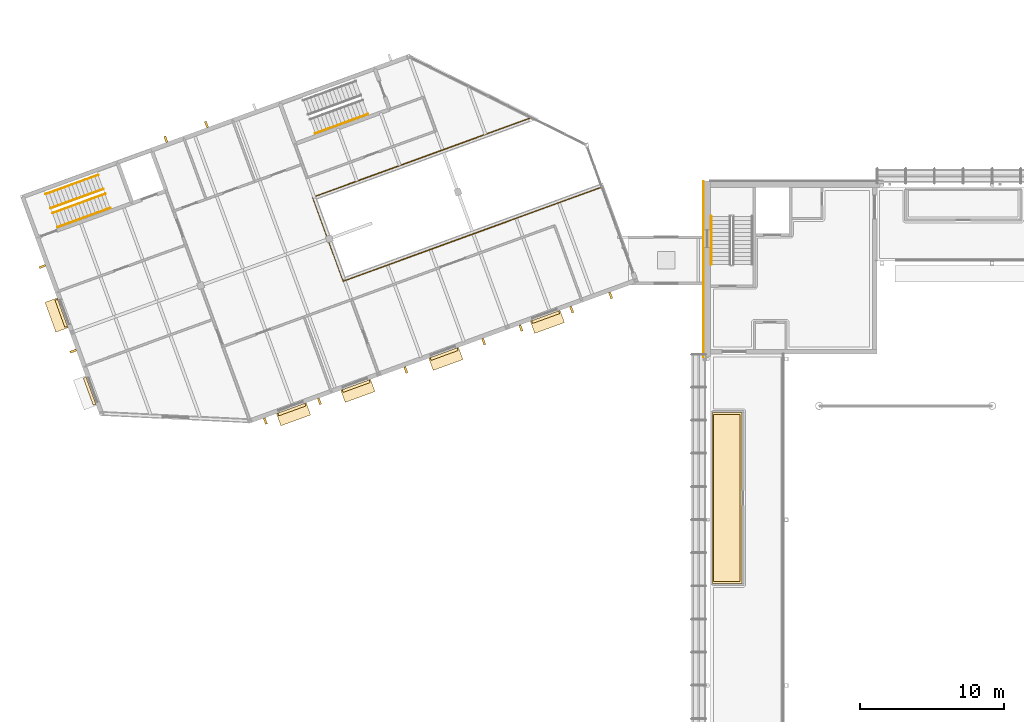
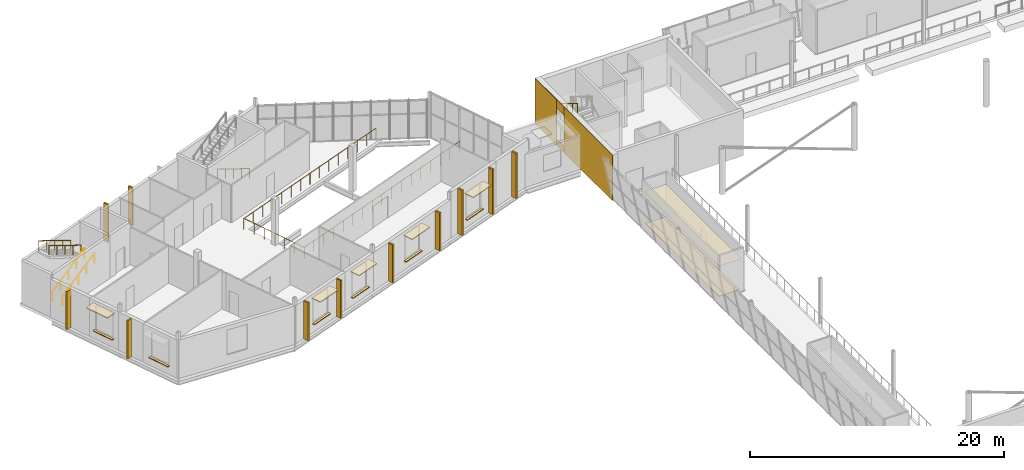
# One storey, part 102 of 115: 17 coverings, 11 shading devices, 7 railings.
"""IFC4 building model written with IfcOpenShell, lengths in metres."""

from ifc_helpers import new_model, si_unit, direction, frame, origin, origin_2d, place, context, subcontext, project, spatial, polyline, circle, outline, extrude, material, layer, layer_set, type_object, element, save


model = new_model("IFC4")

# Units and contexts
model_context = context("Model", 3, precision=1e-05, world=origin(), true_north=direction((0.0, 1.0)))
body_context = subcontext(model_context, "Body", "Model", "MODEL_VIEW")
ifc_project = project(units=[si_unit("LENGTHUNIT", "METRE"), si_unit("AREAUNIT", "SQUARE_METRE"), si_unit("VOLUMEUNIT", "CUBIC_METRE"), si_unit("PLANEANGLEUNIT", "RADIAN"), si_unit("MASSUNIT", "GRAM", prefix="KILO")], contexts=[model_context])

# Site, building, storey
site_placement = place(None, origin())
site = spatial("IfcSite", under=ifc_project, at=site_placement, CompositionType="ELEMENT")
building_placement = place(site_placement, origin())
building = spatial("IfcBuilding", under=site, at=building_placement, Name="Windward Yard Aquatics Centre", CompositionType="ELEMENT")
storey_placement = place(building_placement, frame((0.0, 0.0, 5.0)))
storey = spatial("IfcBuildingStorey", under=building, at=storey_placement, Name="L01", CompositionType="ELEMENT", Elevation=5.0)

# Railings
ifc_material_1 = material(Name="Stainless steel 1.4401", Category="steel")
railing_type_1 = type_object("IfcRailingType", Name="F guard 1100 stainless steel", PredefinedType="GUARDRAIL", material=ifc_material_1)
railing_1_placement = place(storey_placement, frame((40.051025390625, 100.4130859375, 0.0)))
element("IfcRailing", 1, at=railing_1_placement, inside=storey, type_object=railing_type_1, Name="F.RL.G.L01.01", PredefinedType="GUARDRAIL", context=body_context, shape_type="SweptSolid", body=[
    extrude(circle(Radius=0.02392578125, at=origin_2d()), frame((0.0, 0.0, 1.076171875), z_axis=(-0.939694706695, -0.342014412283, 0.0), x_axis=(0.342014412283, -0.939694706695, 0.0)), (0.0, 0.0, 1.0), 16.18115234375),
    extrude(circle(Radius=0.02392578125, at=origin_2d()), frame((-15.205322265625, -5.5341796875, 1.076171875), z_axis=(0.342027595692, -0.939689908313, 0.0), x_axis=(0.939689908313, 0.342027595692, 0.0)), (0.0, 0.0, 1.0), 6.2001953125),
    extrude(circle(Radius=0.02392578125, at=origin_2d()), frame((-13.084716796875, -11.3603515625, 1.076171875), z_axis=(0.939694225044, 0.342015735632, 0.0), x_axis=(-0.342015735632, 0.939694225044, 0.0)), (0.0, 0.0, 1.0), 19.050048828125),
    extrude(circle(Radius=0.02099609375, at=origin_2d()), origin(), (0.0, 0.0, 1.0), 1.052001953125),
    extrude(circle(Radius=0.02099609375, at=origin_2d()), frame((-1.086181640625, -0.395263671875, 0.0)), (0.0, 0.0, 1.0), 1.052001953125),
    extrude(circle(Radius=0.02099609375, at=origin_2d()), frame((-2.172119140625, -0.79052734375, 0.0)), (0.0, 0.0, 1.0), 1.052001953125),
    extrude(circle(Radius=0.02099609375, at=origin_2d()), frame((-3.25830078125, -1.185791015625, 0.0)), (0.0, 0.0, 1.0), 1.052001953125),
    extrude(circle(Radius=0.02099609375, at=origin_2d()), frame((-4.344482421875, -1.581298828125, 0.0)), (0.0, 0.0, 1.0), 1.052001953125),
    extrude(circle(Radius=0.02099609375, at=origin_2d()), frame((-5.430419921875, -1.9765625, 0.0)), (0.0, 0.0, 1.0), 1.052001953125),
    extrude(circle(Radius=0.02099609375, at=origin_2d()), frame((-6.5166015625, -2.371826171875, 0.0)), (0.0, 0.0, 1.0), 1.052001953125),
    extrude(circle(Radius=0.02099609375, at=origin_2d()), frame((-7.6025390625, -2.76708984375, 0.0)), (0.0, 0.0, 1.0), 1.052001953125),
    extrude(circle(Radius=0.02099609375, at=origin_2d()), frame((-8.688720703125, -3.162353515625, 0.0)), (0.0, 0.0, 1.0), 1.052001953125),
    extrude(circle(Radius=0.02099609375, at=origin_2d()), frame((-9.77490234375, -3.5576171875, 0.0)), (0.0, 0.0, 1.0), 1.052001953125),
    extrude(circle(Radius=0.02099609375, at=origin_2d()), frame((-10.86083984375, -3.952880859375, 0.0)), (0.0, 0.0, 1.0), 1.052001953125),
    extrude(circle(Radius=0.02099609375, at=origin_2d()), frame((-11.947021484375, -4.348388671875, 0.0)), (0.0, 0.0, 1.0), 1.052001953125),
    extrude(circle(Radius=0.02099609375, at=origin_2d()), frame((-13.033203125, -4.74365234375, 0.0)), (0.0, 0.0, 1.0), 1.052001953125),
    extrude(circle(Radius=0.02099609375, at=origin_2d()), frame((-14.119140625, -5.138916015625, 0.0)), (0.0, 0.0, 1.0), 1.052001953125),
    extrude(circle(Radius=0.02099609375, at=origin_2d()), frame((-15.205322265625, -5.5341796875, 0.0)), (0.0, 0.0, 1.0), 1.052001953125),
    extrude(circle(Radius=0.02099609375, at=origin_2d()), frame((-14.851806640625, -6.505126953125, 0.0)), (0.0, 0.0, 1.0), 1.052001953125),
    extrude(circle(Radius=0.02099609375, at=origin_2d()), frame((-14.49853515625, -7.476318359375, 0.0)), (0.0, 0.0, 1.0), 1.052001953125),
    extrude(circle(Radius=0.02099609375, at=origin_2d()), frame((-14.14501953125, -8.447265625, 0.0)), (0.0, 0.0, 1.0), 1.052001953125),
    extrude(circle(Radius=0.02099609375, at=origin_2d()), frame((-13.79150390625, -9.418212890625, 0.0)), (0.0, 0.0, 1.0), 1.052001953125),
    extrude(circle(Radius=0.02099609375, at=origin_2d()), frame((-13.438232421875, -10.389404296875, 0.0)), (0.0, 0.0, 1.0), 1.052001953125),
    extrude(circle(Radius=0.02099609375, at=origin_2d()), frame((-13.084716796875, -11.3603515625, 0.0)), (0.0, 0.0, 1.0), 1.052001953125),
    extrude(circle(Radius=0.02099609375, at=origin_2d()), frame((-11.9658203125, -10.953125, 0.0)), (0.0, 0.0, 1.0), 1.052001953125),
    extrude(circle(Radius=0.02099609375, at=origin_2d()), frame((-10.84716796875, -10.5458984375, 0.0)), (0.0, 0.0, 1.0), 1.052001953125),
    extrude(circle(Radius=0.02099609375, at=origin_2d()), frame((-9.728271484375, -10.138671875, 0.0)), (0.0, 0.0, 1.0), 1.052001953125),
    extrude(circle(Radius=0.02099609375, at=origin_2d()), frame((-8.609375, -9.7314453125, 0.0)), (0.0, 0.0, 1.0), 1.052001953125),
    extrude(circle(Radius=0.02099609375, at=origin_2d()), frame((-7.49072265625, -9.32421875, 0.0)), (0.0, 0.0, 1.0), 1.052001953125),
    extrude(circle(Radius=0.02099609375, at=origin_2d()), frame((-6.371826171875, -8.9169921875, 0.0)), (0.0, 0.0, 1.0), 1.052001953125),
    extrude(circle(Radius=0.02099609375, at=origin_2d()), frame((-5.2529296875, -8.509765625, 0.0)), (0.0, 0.0, 1.0), 1.052001953125),
    extrude(circle(Radius=0.02099609375, at=origin_2d()), frame((-4.13427734375, -8.1025390625, 0.0)), (0.0, 0.0, 1.0), 1.052001953125),
    extrude(circle(Radius=0.02099609375, at=origin_2d()), frame((-3.015380859375, -7.695556640625, 0.0)), (0.0, 0.0, 1.0), 1.052001953125),
    extrude(circle(Radius=0.02099609375, at=origin_2d()), frame((-1.896484375, -7.288330078125, 0.0)), (0.0, 0.0, 1.0), 1.052001953125),
    extrude(circle(Radius=0.02099609375, at=origin_2d()), frame((-0.777587890625, -6.881103515625, 0.0)), (0.0, 0.0, 1.0), 1.052001953125),
    extrude(circle(Radius=0.02099609375, at=origin_2d()), frame((0.341064453125, -6.473876953125, 0.0)), (0.0, 0.0, 1.0), 1.052001953125),
    extrude(circle(Radius=0.02099609375, at=origin_2d()), frame((1.4599609375, -6.066650390625, 0.0)), (0.0, 0.0, 1.0), 1.052001953125),
    extrude(circle(Radius=0.02099609375, at=origin_2d()), frame((2.578857421875, -5.659423828125, 0.0)), (0.0, 0.0, 1.0), 1.052001953125),
    extrude(circle(Radius=0.02099609375, at=origin_2d()), frame((3.697509765625, -5.252197265625, 0.0)), (0.0, 0.0, 1.0), 1.052001953125),
    extrude(circle(Radius=0.02099609375, at=origin_2d()), frame((4.81640625, -4.844970703125, 0.0)), (0.0, 0.0, 1.0), 1.052001953125),
])
railing_type_2 = type_object("IfcRailingType", Name="F handrail 900 stainless steel", PredefinedType="HANDRAIL", material=ifc_material_1)
railing_2_placement = place(storey_placement, frame((7.13818359375, 92.80224609375, 0.146728515625)))
element("IfcRailing", 2, at=railing_2_placement, inside=storey, type_object=railing_type_2, Name="F.RL.H.L01.S1.11", PredefinedType="HANDRAIL", context=body_context, shape_type="SweptSolid", body=[
    extrude(circle(Radius=0.02099609375, at=origin_2d()), frame((0.0, 0.0, 0.87890625), z_axis=(0.832413148769, 0.302996620695, 0.463984264392), x_axis=(-0.342043081867, 0.939684271523, 0.0)), (0.0, 0.0, 1.0), 4.42529296875),
    extrude(circle(Radius=0.01611328125, at=origin_2d()), origin(), (0.0, 0.0, 1.0), 0.85791015625),
    extrude(circle(Radius=0.01611328125, at=origin_2d()), frame((0.9208984375, 0.335205078125, 0.51318359375)), (0.0, 0.0, 1.0), 0.85791015625),
    extrude(circle(Radius=0.01611328125, at=origin_2d()), frame((1.841796875, 0.67041015625, 1.026611328125)), (0.0, 0.0, 1.0), 0.85791015625),
    extrude(circle(Radius=0.01611328125, at=origin_2d()), frame((2.7626953125, 1.005615234375, 1.5400390625)), (0.0, 0.0, 1.0), 0.85791015625),
    extrude(circle(Radius=0.01611328125, at=origin_2d()), frame((3.68359375, 1.3408203125, 2.05322265625)), (0.0, 0.0, 1.0), 0.85791015625),
])
railing_3_placement = place(storey_placement, frame((6.782470703125, 93.779541015625, 0.146728515625)))
element("IfcRailing", 3, at=railing_3_placement, inside=storey, type_object=railing_type_2, Name="F.RL.H.L01.S1.12", PredefinedType="HANDRAIL", context=body_context, shape_type="SweptSolid", body=[
    extrude(circle(Radius=0.02099609375, at=origin_2d()), frame((0.0, 0.0, 0.87890625), z_axis=(0.832427062876, 0.302946513935, 0.463992020068), x_axis=(-0.34198808625, 0.939704287988, 0.0)), (0.0, 0.0, 1.0), 4.425048828125),
    extrude(circle(Radius=0.01611328125, at=origin_2d()), origin(), (0.0, 0.0, 1.0), 0.85791015625),
    extrude(circle(Radius=0.01611328125, at=origin_2d()), frame((0.9208984375, 0.335205078125, 0.51318359375)), (0.0, 0.0, 1.0), 0.85791015625),
    extrude(circle(Radius=0.01611328125, at=origin_2d()), frame((1.841796875, 0.67041015625, 1.026611328125)), (0.0, 0.0, 1.0), 0.85791015625),
    extrude(circle(Radius=0.01611328125, at=origin_2d()), frame((2.7626953125, 1.00537109375, 1.5400390625)), (0.0, 0.0, 1.0), 0.85791015625),
    extrude(circle(Radius=0.01611328125, at=origin_2d()), frame((3.68359375, 1.340576171875, 2.05322265625)), (0.0, 0.0, 1.0), 0.85791015625),
])
railing_4_placement = place(storey_placement, frame((10.343017578125, 95.45849609375, 2.3466796875)))
element("IfcRailing", 4, at=railing_4_placement, inside=storey, type_object=railing_type_2, Name="F.RL.H.L01.S1.21", PredefinedType="HANDRAIL", context=body_context, shape_type="SweptSolid", body=[
    extrude(circle(Radius=0.02099609375, at=origin_2d()), frame((0.0, 0.0, 0.87890625), z_axis=(-0.832444002945, -0.302932601244, 0.46397071143), x_axis=(0.341968072062, -0.939711571542, 0.0)), (0.0, 0.0, 1.0), 4.42529296875),
    extrude(circle(Radius=0.01611328125, at=origin_2d()), origin(), (0.0, 0.0, 1.0), 0.85791015625),
    extrude(circle(Radius=0.01611328125, at=origin_2d()), frame((-0.9208984375, -0.335205078125, 0.51318359375)), (0.0, 0.0, 1.0), 0.85791015625),
    extrude(circle(Radius=0.01611328125, at=origin_2d()), frame((-1.841796875, -0.67041015625, 1.026611328125)), (0.0, 0.0, 1.0), 0.85791015625),
    extrude(circle(Radius=0.01611328125, at=origin_2d()), frame((-2.762939453125, -1.00537109375, 1.5400390625)), (0.0, 0.0, 1.0), 0.85791015625),
    extrude(circle(Radius=0.01611328125, at=origin_2d()), frame((-3.683837890625, -1.340576171875, 2.05322265625)), (0.0, 0.0, 1.0), 0.85791015625),
])
railing_5_placement = place(storey_placement, frame((9.9873046875, 96.435791015625, 2.3466796875)))
element("IfcRailing", 5, at=railing_5_placement, inside=storey, type_object=railing_type_2, Name="F.RL.H.L01.S1.22", PredefinedType="HANDRAIL", context=body_context, shape_type="SweptSolid", body=[
    extrude(circle(Radius=0.02099609375, at=origin_2d()), frame((0.0, 0.0, 0.87890625), z_axis=(-0.832427062876, -0.302946513935, 0.463992020068), x_axis=(0.34198808625, -0.939704287988, 0.0)), (0.0, 0.0, 1.0), 4.425048828125),
    extrude(circle(Radius=0.01611328125, at=origin_2d()), origin(), (0.0, 0.0, 1.0), 0.85791015625),
    extrude(circle(Radius=0.01611328125, at=origin_2d()), frame((-0.9208984375, -0.335205078125, 0.51318359375)), (0.0, 0.0, 1.0), 0.85791015625),
    extrude(circle(Radius=0.01611328125, at=origin_2d()), frame((-1.841796875, -0.67041015625, 1.026611328125)), (0.0, 0.0, 1.0), 0.85791015625),
    extrude(circle(Radius=0.01611328125, at=origin_2d()), frame((-2.7626953125, -1.00537109375, 1.5400390625)), (0.0, 0.0, 1.0), 0.85791015625),
    extrude(circle(Radius=0.01611328125, at=origin_2d()), frame((-3.68359375, -1.340576171875, 2.05322265625)), (0.0, 0.0, 1.0), 0.85791015625),
])
railing_6_placement = place(storey_placement, frame((28.6806640625, 100.64306640625, 0.146728515625)))
element("IfcRailing", 6, at=railing_6_placement, inside=storey, type_object=railing_type_2, Name="F.RL.H.L01.S2.11", PredefinedType="HANDRAIL", context=body_context, shape_type="SweptSolid", body=[
    extrude(circle(Radius=0.02099609375, at=origin_2d()), frame((0.0, 0.0, 0.87890625), z_axis=(-0.832413148769, -0.302996620695, 0.463984264392), x_axis=(0.342043081867, -0.939684271523, 0.0)), (0.0, 0.0, 1.0), 4.42529296875),
    extrude(circle(Radius=0.01611328125, at=origin_2d()), origin(), (0.0, 0.0, 1.0), 0.85791015625),
    extrude(circle(Radius=0.01611328125, at=origin_2d()), frame((-0.9208984375, -0.335205078125, 0.51318359375)), (0.0, 0.0, 1.0), 0.85791015625),
    extrude(circle(Radius=0.01611328125, at=origin_2d()), frame((-1.841796875, -0.67041015625, 1.026611328125)), (0.0, 0.0, 1.0), 0.85791015625),
    extrude(circle(Radius=0.01611328125, at=origin_2d()), frame((-2.7626953125, -1.005615234375, 1.5400390625)), (0.0, 0.0, 1.0), 0.85791015625),
    extrude(circle(Radius=0.01611328125, at=origin_2d()), frame((-3.68359375, -1.3408203125, 2.05322265625)), (0.0, 0.0, 1.0), 0.85791015625),
])

# Shading devices
ifc_material_2 = material(Name="Aluminium fin, powder coated", Category="aluminium")
shading_device_type = type_object("IfcShadingDeviceType", Name="F vertical fin 150x450", PredefinedType="USERDEFINED", material=ifc_material_2)
shading_device_1_placement = place(storey_placement, origin())
element("IfcShadingDevice", 7, at=shading_device_1_placement, inside=storey, type_object=shading_device_type, Name="Vertical fin F.WL.L01.E02.1.1", ObjectType="FIN", PredefinedType="USERDEFINED", context=body_context, shape_type="SweptSolid", body=[
    extrude(outline(polyline([(21.41357421875, 79.529296875), (21.5546875, 79.58056640625), (21.70849609375, 79.15771484375), (21.5673828125, 79.1064453125), (21.41357421875, 79.529296875)])), origin(), (0.0, 0.0, 1.0), 3.653076171875),
])
shading_device_2_placement = place(storey_placement, origin())
element("IfcShadingDevice", 8, at=shading_device_2_placement, inside=storey, type_object=shading_device_type, Name="Vertical fin F.WL.L01.E02.2.1", ObjectType="FIN", PredefinedType="USERDEFINED", context=body_context, shape_type="SweptSolid", body=[
    extrude(outline(polyline([(25.17236328125, 80.8974609375), (25.3134765625, 80.94873046875), (25.46728515625, 80.52587890625), (25.326416015625, 80.474609375), (25.17236328125, 80.8974609375)])), origin(), (0.0, 0.0, 1.0), 3.653076171875),
])
shading_device_3_placement = place(storey_placement, origin())
element("IfcShadingDevice", 9, at=shading_device_3_placement, inside=storey, type_object=shading_device_type, Name="Vertical fin F.WL.L01.E04.1.1", ObjectType="FIN", PredefinedType="USERDEFINED", context=body_context, shape_type="SweptSolid", body=[
    extrude(outline(polyline([(31.162841796875, 83.077880859375), (31.303955078125, 83.129150390625), (31.457763671875, 82.706298828125), (31.31689453125, 82.65478515625), (31.162841796875, 83.077880859375)])), origin(), (0.0, 0.0, 1.0), 3.653076171875),
])
shading_device_4_placement = place(storey_placement, origin())
element("IfcShadingDevice", 10, at=shading_device_4_placement, inside=storey, type_object=shading_device_type, Name="Vertical fin F.WL.L01.E04.2.1", ObjectType="FIN", PredefinedType="USERDEFINED", context=body_context, shape_type="SweptSolid", body=[
    extrude(outline(polyline([(36.566162109375, 85.04443359375), (36.70703125, 85.095703125), (36.861083984375, 84.6728515625), (36.72021484375, 84.62158203125), (36.566162109375, 85.04443359375)])), origin(), (0.0, 0.0, 1.0), 3.653076171875),
])
shading_device_5_placement = place(storey_placement, origin())
element("IfcShadingDevice", 11, at=shading_device_5_placement, inside=storey, type_object=shading_device_type, Name="Vertical fin F.WL.L01.E05.1.1", ObjectType="FIN", PredefinedType="USERDEFINED", context=body_context, shape_type="SweptSolid", body=[
    extrude(outline(polyline([(39.150390625, 85.985107421875), (39.291259765625, 86.036376953125), (39.4453125, 85.61328125), (39.30419921875, 85.56201171875), (39.150390625, 85.985107421875)])), origin(), (0.0, 0.0, 1.0), 4.35009765625),
])
shading_device_6_placement = place(storey_placement, origin())
element("IfcShadingDevice", 12, at=shading_device_6_placement, inside=storey, type_object=shading_device_type, Name="Vertical fin F.WL.L01.E05.2.1", ObjectType="FIN", PredefinedType="USERDEFINED", context=body_context, shape_type="SweptSolid", body=[
    extrude(outline(polyline([(42.67431640625, 87.267578125), (42.815185546875, 87.31884765625), (42.968994140625, 86.89599609375), (42.828125, 86.8447265625), (42.67431640625, 87.267578125)])), origin(), (0.0, 0.0, 1.0), 4.35009765625),
])
shading_device_7_placement = place(storey_placement, origin())
element("IfcShadingDevice", 13, at=shading_device_7_placement, inside=storey, type_object=shading_device_type, Name="Vertical fin F.WL.L01.E06.1.1", ObjectType="FIN", PredefinedType="USERDEFINED", context=body_context, shape_type="SweptSolid", body=[
    extrude(outline(polyline([(45.375732421875, 88.250732421875), (45.516845703125, 88.302001953125), (45.670654296875, 87.87939453125), (45.52978515625, 87.827880859375), (45.375732421875, 88.250732421875)])), origin(), (0.0, 0.0, 1.0), 4.35009765625),
])
shading_device_8_placement = place(storey_placement, origin())
element("IfcShadingDevice", 14, at=shading_device_8_placement, inside=storey, type_object=shading_device_type, Name="Vertical fin F.WL.L01.E09.1.1", ObjectType="FIN", PredefinedType="USERDEFINED", context=body_context, shape_type="SweptSolid", body=[
    extrude(outline(polyline([(17.32373046875, 100.122314453125), (17.464599609375, 100.173583984375), (17.61865234375, 99.7509765625), (17.477783203125, 99.69970703125), (17.32373046875, 100.122314453125)])), origin(), (0.0, 0.0, 1.0), 3.653076171875),
])
shading_device_9_placement = place(storey_placement, origin())
element("IfcShadingDevice", 15, at=shading_device_9_placement, inside=storey, type_object=shading_device_type, Name="Vertical fin F.WL.L01.E10.1.1", ObjectType="FIN", PredefinedType="USERDEFINED", context=body_context, shape_type="SweptSolid", body=[
    extrude(outline(polyline([(14.504638671875, 99.09619140625), (14.6455078125, 99.147705078125), (14.799560546875, 98.724853515625), (14.65869140625, 98.673583984375), (14.504638671875, 99.09619140625)])), origin(), (0.0, 0.0, 1.0), 3.653076171875),
])
shading_device_10_placement = place(storey_placement, origin())
element("IfcShadingDevice", 16, at=shading_device_10_placement, inside=storey, type_object=shading_device_type, Name="Vertical fin F.WL.L01.E11.1.1", ObjectType="FIN", PredefinedType="USERDEFINED", context=body_context, shape_type="SweptSolid", body=[
    extrude(outline(polyline([(5.84619140625, 90.0654296875), (6.26904296875, 90.21923828125), (6.3203125, 90.078369140625), (5.897705078125, 89.92431640625), (5.84619140625, 90.0654296875)])), origin(), (0.0, 0.0, 1.0), 3.653076171875),
])
shading_device_11_placement = place(storey_placement, origin())
element("IfcShadingDevice", 17, at=shading_device_11_placement, inside=storey, type_object=shading_device_type, Name="Vertical fin F.WL.L01.E13.1.1", ObjectType="FIN", PredefinedType="USERDEFINED", context=body_context, shape_type="SweptSolid", body=[
    extrude(outline(polyline([(7.98388671875, 84.1923828125), (8.40673828125, 84.34619140625), (8.4580078125, 84.205078125), (8.03515625, 84.05126953125), (7.98388671875, 84.1923828125)])), origin(), (0.0, 0.0, 1.0), 3.653076171875),
])

# Coverings
ifc_material_3 = material(Name="Aluminium composite hood, powder coated", Category="aluminium")
ifc_layer_1 = layer(ifc_material_3, 0.080078125)
ifc_layer_set_1 = layer_set([ifc_layer_1], Name="F window hood aluminium 2200x900")
covering_type_1 = type_object("IfcCoveringType", Name="F window hood aluminium 2200x900", PredefinedType="CLADDING", material=ifc_layer_set_1)
covering_1_placement = place(storey_placement, frame((0.0, 0.0, 3.35009765625)))
element("IfcCovering", 18, at=covering_1_placement, inside=storey, type_object=covering_type_1, Name="Window hood F1102", PredefinedType="CLADDING", context=body_context, shape_type="SweptSolid", body=[
    extrude(outline(polyline([(22.329833984375, 79.86279296875), (24.397216796875, 80.615234375), (24.705078125, 79.76953125), (22.6376953125, 79.01708984375), (22.329833984375, 79.86279296875)])), origin(), (0.0, 0.0, 1.0), 0.079833984375),
])
covering_2_placement = place(storey_placement, frame((0.0, 0.0, 3.35009765625)))
element("IfcCovering", 19, at=covering_2_placement, inside=storey, type_object=covering_type_1, Name="Window hood F1103", PredefinedType="CLADDING", context=body_context, shape_type="SweptSolid", body=[
    extrude(outline(polyline([(26.79345703125, 81.4873046875), (28.860595703125, 82.23974609375), (29.16845703125, 81.39404296875), (27.101318359375, 80.6416015625), (26.79345703125, 81.4873046875)])), origin(), (0.0, 0.0, 1.0), 0.079833984375),
])
covering_3_placement = place(storey_placement, frame((0.0, 0.0, 3.35009765625)))
element("IfcCovering", 20, at=covering_3_placement, inside=storey, type_object=covering_type_1, Name="Window hood F1104", PredefinedType="CLADDING", context=body_context, shape_type="SweptSolid", body=[
    extrude(outline(polyline([(32.9013671875, 83.71044921875), (34.96875, 84.462890625), (35.276611328125, 83.6171875), (33.209228515625, 82.86474609375), (32.9013671875, 83.71044921875)])), origin(), (0.0, 0.0, 1.0), 0.079833984375),
])
covering_4_placement = place(storey_placement, frame((0.0, 0.0, 3.35009765625)))
element("IfcCovering", 21, at=covering_4_placement, inside=storey, type_object=covering_type_1, Name="Window hood F1105", PredefinedType="CLADDING", context=body_context, shape_type="SweptSolid", body=[
    extrude(outline(polyline([(39.94921875, 86.275634765625), (42.016357421875, 87.028076171875), (42.32421875, 86.182373046875), (40.2568359375, 85.429931640625), (39.94921875, 86.275634765625)])), origin(), (0.0, 0.0, 1.0), 0.079833984375),
])
covering_5_placement = place(storey_placement, frame((0.0, 0.0, 3.35009765625)))
element("IfcCovering", 22, at=covering_5_placement, inside=storey, type_object=covering_type_1, Name="Window hood F1106", PredefinedType="CLADDING", context=body_context, shape_type="SweptSolid", body=[
    extrude(outline(polyline([(6.27001953125, 87.585693359375), (7.115478515625, 87.8935546875), (7.867919921875, 85.826171875), (7.022216796875, 85.518310546875), (6.27001953125, 87.585693359375)])), origin(), (0.0, 0.0, 1.0), 0.079833984375),
])
ifc_material_4 = material(Name="Limestone sill", Category="masonry")
ifc_layer_2 = layer(ifc_material_4, 0.080078125)
ifc_layer_set_2 = layer_set([ifc_layer_2], Name="F window sill stone 2000x200")
covering_type_2 = type_object("IfcCoveringType", Name="F window sill stone 2000x200", PredefinedType="CLADDING", material=ifc_layer_set_2)
covering_6_placement = place(storey_placement, frame((0.0, 0.0, 0.820068359375)))
element("IfcCovering", 23, at=covering_6_placement, inside=storey, type_object=covering_type_2, Name="Window sill F1102", PredefinedType="CLADDING", context=body_context, shape_type="SweptSolid", body=[
    extrude(outline(polyline([(22.423828125, 79.89697265625), (24.30322265625, 80.5810546875), (24.37158203125, 80.39306640625), (22.4921875, 79.708984375), (22.423828125, 79.89697265625)])), origin(), (0.0, 0.0, 1.0), 0.079833984375),
])
covering_7_placement = place(storey_placement, frame((0.0, 0.0, 0.820068359375)))
element("IfcCovering", 24, at=covering_7_placement, inside=storey, type_object=covering_type_2, Name="Window sill F1103", PredefinedType="CLADDING", context=body_context, shape_type="SweptSolid", body=[
    extrude(outline(polyline([(26.887451171875, 81.521484375), (28.7666015625, 82.20556640625), (28.835205078125, 82.017578125), (26.955810546875, 81.33349609375), (26.887451171875, 81.521484375)])), origin(), (0.0, 0.0, 1.0), 0.079833984375),
])
covering_8_placement = place(storey_placement, frame((0.0, 0.0, 0.820068359375)))
element("IfcCovering", 25, at=covering_8_placement, inside=storey, type_object=covering_type_2, Name="Window sill F1104", PredefinedType="CLADDING", context=body_context, shape_type="SweptSolid", body=[
    extrude(outline(polyline([(32.995361328125, 83.74462890625), (34.874755859375, 84.4287109375), (34.943115234375, 84.24072265625), (33.063720703125, 83.556884765625), (32.995361328125, 83.74462890625)])), origin(), (0.0, 0.0, 1.0), 0.079833984375),
])
covering_9_placement = place(storey_placement, frame((0.0, 0.0, 0.820068359375)))
element("IfcCovering", 26, at=covering_9_placement, inside=storey, type_object=covering_type_2, Name="Window sill F1105", PredefinedType="CLADDING", context=body_context, shape_type="SweptSolid", body=[
    extrude(outline(polyline([(40.043212890625, 86.309814453125), (41.922607421875, 86.993896484375), (41.990966796875, 86.805908203125), (40.111572265625, 86.121826171875), (40.043212890625, 86.309814453125)])), origin(), (0.0, 0.0, 1.0), 0.079833984375),
])
covering_10_placement = place(storey_placement, frame((0.0, 0.0, 0.820068359375)))
element("IfcCovering", 27, at=covering_10_placement, inside=storey, type_object=covering_type_2, Name="Window sill F1106", PredefinedType="CLADDING", context=body_context, shape_type="SweptSolid", body=[
    extrude(outline(polyline([(6.9619140625, 87.731201171875), (7.14990234375, 87.799560546875), (7.833740234375, 85.920166015625), (7.64599609375, 85.851806640625), (6.9619140625, 87.731201171875)])), origin(), (0.0, 0.0, 1.0), 0.079833984375),
])
covering_11_placement = place(storey_placement, frame((0.0, 0.0, 0.820068359375)))
element("IfcCovering", 28, at=covering_11_placement, inside=storey, type_object=covering_type_2, Name="Window sill F1107", PredefinedType="CLADDING", context=body_context, shape_type="SweptSolid", body=[
    extrude(outline(polyline([(8.928466796875, 82.327880859375), (9.116455078125, 82.396240234375), (9.800537109375, 80.51708984375), (9.612548828125, 80.448486328125), (8.928466796875, 82.327880859375)])), origin(), (0.0, 0.0, 1.0), 0.079833984375),
])
ifc_material_5 = material(Name="Polished screed")
ifc_layer_3 = layer(ifc_material_5, 0.0400390625)
ifc_layer_set_3 = layer_set([ifc_layer_3], Name="H Floor Finish Screed 40")
covering_type_3 = type_object("IfcCoveringType", Name="H Floor Finish Screed 40", PredefinedType="FLOORING", material=ifc_layer_set_3)
covering_12_placement = place(storey_placement, origin())
element("IfcCovering", 29, at=covering_12_placement, inside=storey, type_object=covering_type_3, Name="Kiosk floor finish", PredefinedType="FLOORING", context=body_context, shape_type="SweptSolid", body=[
    extrude(outline(polyline([(52.64990234375, 68.199951171875), (52.64990234375, 79.800048828125), (54.5, 79.800048828125), (54.5, 68.199951171875), (52.64990234375, 68.199951171875)])), origin(), (0.0, 0.0, 1.0), 0.02001953125),
])

# Railing
ifc_material_6 = material(Name="Stainless steel 1.4529", Category="steel")
railing_type_3 = type_object("IfcRailingType", Name="H Handrail Steel 900", PredefinedType="HANDRAIL", material=ifc_material_6)
railing_7_placement = place(storey_placement, frame((52.5, 93.56005859375, 2.369140625)))
element("IfcRailing", 30, at=railing_7_placement, inside=storey, type_object=railing_type_3, Name="L01 ST3 stair handrail 2", PredefinedType="HANDRAIL", context=body_context, shape_type="SweptSolid", body=[
    extrude(circle(Radius=0.02392578125, at=origin_2d()), frame((0.0, 0.0, 0.8759765625), z_axis=(0.0, -0.855836976705, 0.517245656632), x_axis=(1.0, 0.0, 0.0)), (0.0, 0.0, 1.0), 3.926025390625),
    extrude(circle(Radius=0.02099609375, at=origin_2d()), origin(), (0.0, 0.0, 1.0), 0.851806640625),
    extrude(circle(Radius=0.02099609375, at=origin_2d()), frame((0.0, -0.840087890625, 0.5078125)), (0.0, 0.0, 1.0), 0.851806640625),
    extrude(circle(Radius=0.02099609375, at=origin_2d()), frame((0.0, -1.68017578125, 1.015380859375)), (0.0, 0.0, 1.0), 0.851806640625),
    extrude(circle(Radius=0.02099609375, at=origin_2d()), frame((0.0, -2.52001953125, 1.52294921875)), (0.0, 0.0, 1.0), 0.851806640625),
    extrude(circle(Radius=0.02099609375, at=origin_2d()), frame((0.0, -3.360107421875, 2.03076171875)), (0.0, 0.0, 1.0), 0.851806640625),
])

# Coverings
ifc_material_7 = material(Name="Mineral fibre tile")
ifc_layer_4 = layer(ifc_material_7, 0.02001953125)
ifc_layer_set_4 = layer_set([ifc_layer_4], Name="H Suspended Ceiling 600 x 600")
covering_type_4 = type_object("IfcCoveringType", Name="H Suspended Ceiling 600 x 600", PredefinedType="CEILING", material=ifc_layer_set_4)
covering_13_placement = place(storey_placement, frame((0.0, 0.0, 3.0)))
element("IfcCovering", 31, at=covering_13_placement, inside=storey, type_object=covering_type_4, Name="Kiosk ceiling", PredefinedType="CEILING", context=body_context, shape_type="SweptSolid", body=[
    extrude(outline(polyline([(52.6005859375, 68.075439453125), (52.6005859375, 79.924560546875), (54.62451171875, 79.924560546875), (54.62451171875, 68.075439453125), (52.6005859375, 68.075439453125)])), origin(), (0.0, 0.0, 1.0), 0.02001953125),
])
ifc_material_8 = material(Name="Natural limestone cladding", Category="masonry")
ifc_layer_5 = layer(ifc_material_8, 0.0400390625)
ifc_layer_set_5 = layer_set([ifc_layer_5], Name="H natural stone cladding 40")
covering_type_5 = type_object("IfcCoveringType", Name="H natural stone cladding 40", PredefinedType="CLADDING", material=ifc_layer_set_5)
covering_14_placement = place(storey_placement, origin())
element("IfcCovering", 32, at=covering_14_placement, inside=storey, type_object=covering_type_5, Name="Stone cladding panel 72", PredefinedType="CLADDING", context=body_context, shape_type="SweptSolid", body=[
    extrude(outline(polyline([(51.9599609375, 92.60009765625), (51.9599609375, 96.0), (52.0, 96.0), (52.0, 92.60009765625), (51.9599609375, 92.60009765625)])), origin(), (0.0, 0.0, 1.0), 4.39990234375),
])
covering_15_placement = place(storey_placement, origin())
element("IfcCovering", 33, at=covering_15_placement, inside=storey, type_object=covering_type_5, Name="Stone cladding panel 73", PredefinedType="CLADDING", context=body_context, shape_type="SweptSolid", body=[
    extrude(outline(polyline([(51.9599609375, 91.39990234375), (51.9599609375, 92.60009765625), (52.0, 92.60009765625), (52.0, 91.39990234375), (51.9599609375, 91.39990234375)])), origin(), (0.0, 0.0, 1.0), 0.60009765625),
])
covering_16_placement = place(storey_placement, frame((0.0, 0.0, 3.60009765625)))
element("IfcCovering", 34, at=covering_16_placement, inside=storey, type_object=covering_type_5, Name="Stone cladding panel 74", PredefinedType="CLADDING", context=body_context, shape_type="SweptSolid", body=[
    extrude(outline(polyline([(51.9599609375, 91.39990234375), (51.9599609375, 92.60009765625), (52.0, 92.60009765625), (52.0, 91.39990234375), (51.9599609375, 91.39990234375)])), origin(), (0.0, 0.0, 1.0), 0.7998046875),
])
covering_17_placement = place(storey_placement, origin())
element("IfcCovering", 35, at=covering_17_placement, inside=storey, type_object=covering_type_5, Name="Stone cladding panel 75", PredefinedType="CLADDING", context=body_context, shape_type="SweptSolid", body=[
    extrude(outline(polyline([(51.9599609375, 83.785888671875), (51.9599609375, 91.39990234375), (52.0, 91.39990234375), (52.0, 83.785888671875), (51.9599609375, 83.785888671875)])), origin(), (0.0, 0.0, 1.0), 4.39990234375),
])

save(model, "model.ifc")
